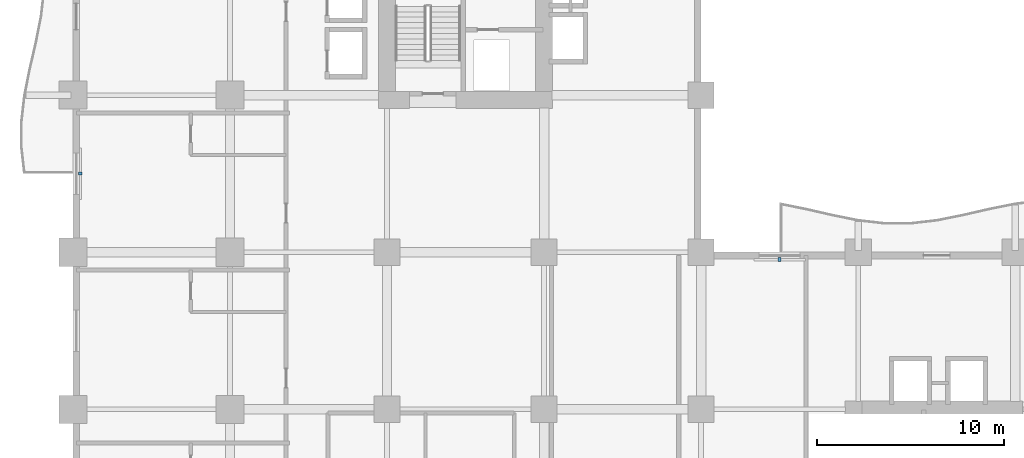
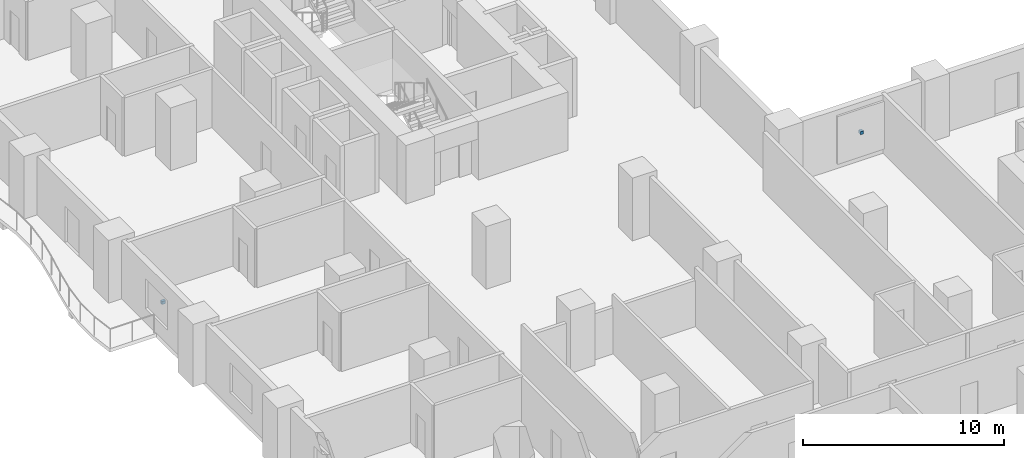
# One storey, part 16 of 22: 2 discrete accessories.
"""IFC4 building model written with IfcOpenShell, lengths in metres."""

from ifc_helpers import new_model, si_unit, direction, frame, origin, origin_2d, place, context, subcontext, project, spatial, rectangle, extrude, material, type_object, element, save


model = new_model("IFC4")

# Units and contexts
model_context = context("Model", 3, precision=1e-05, world=origin(), true_north=direction((0.0, 1.0)))
body_context = subcontext(model_context, "Body", "Model", "MODEL_VIEW")
ifc_project = project(units=[si_unit("LENGTHUNIT", "METRE"), si_unit("AREAUNIT", "SQUARE_METRE"), si_unit("VOLUMEUNIT", "CUBIC_METRE"), si_unit("PLANEANGLEUNIT", "RADIAN"), si_unit("MASSUNIT", "GRAM", prefix="KILO")], contexts=[model_context])

# Site, building, storey
site_placement = place(None, origin())
site = spatial("IfcSite", under=ifc_project, at=site_placement, CompositionType="ELEMENT")
building_placement = place(site_placement, origin())
building = spatial("IfcBuilding", under=site, at=building_placement, Name="Koriwani Terraces Tower", CompositionType="ELEMENT")
storey_placement = place(building_placement, frame((0.0, 0.0, 43.39990234375)))
storey = spatial("IfcBuildingStorey", under=building, at=storey_placement, Name="L09", CompositionType="ELEMENT", Elevation=43.39990234375)

# Discrete accessories
ifc_material = material(Name="Steel ASTM A572 Grade 50", Category="steel")
discrete_accessory_type = type_object("IfcDiscreteAccessoryType", Name="BAGUETTE_STANDOFF_BRACKET", PredefinedType="BRACKET", material=ifc_material)
for number, where, z_axis, x_axis, name in (
    (1, (0.389892578125, 37.800048828125, 1.68505859375), (0.0, 0.0, 1.0), (0.0, 1.0, 0.0), "L09 Terracotta Baguette Bracket (W-12)"),
    (2, (37.800048828125, 33.2099609375, 1.68505859375), (0.0, 0.0, 1.0), (1.0, 0.0, 0.0), "L09 Terracotta Baguette Bracket (NE-2)"),
):
    element("IfcDiscreteAccessory", number, at=place(storey_placement, frame(where, z_axis=z_axis, x_axis=x_axis)), inside=storey, type_object=discrete_accessory_type, Name=name, PredefinedType="BRACKET", context=body_context, shape_type="SweptSolid", body=[
        extrude(rectangle(XDim=0.159912109375, YDim=0.199951171875, at=origin_2d()), origin(), (0.0, 0.0, 1.0), 0.179931640625),
    ])

save(model, "model.ifc")
